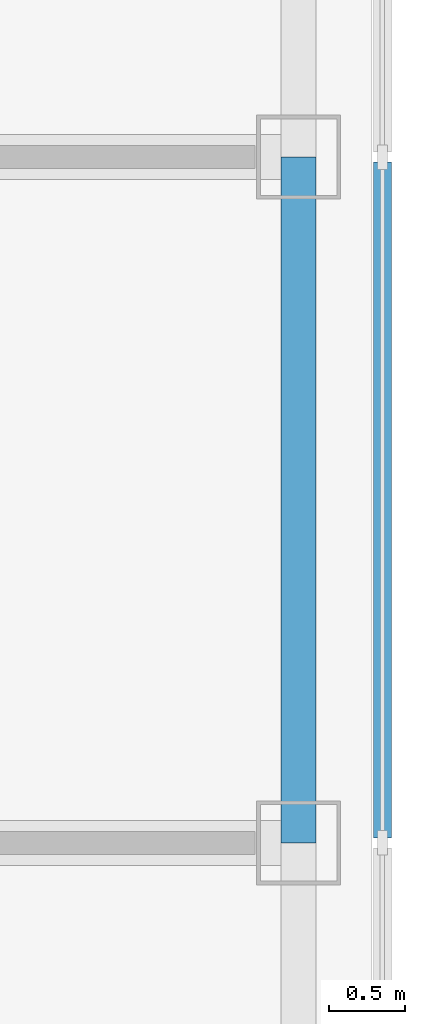
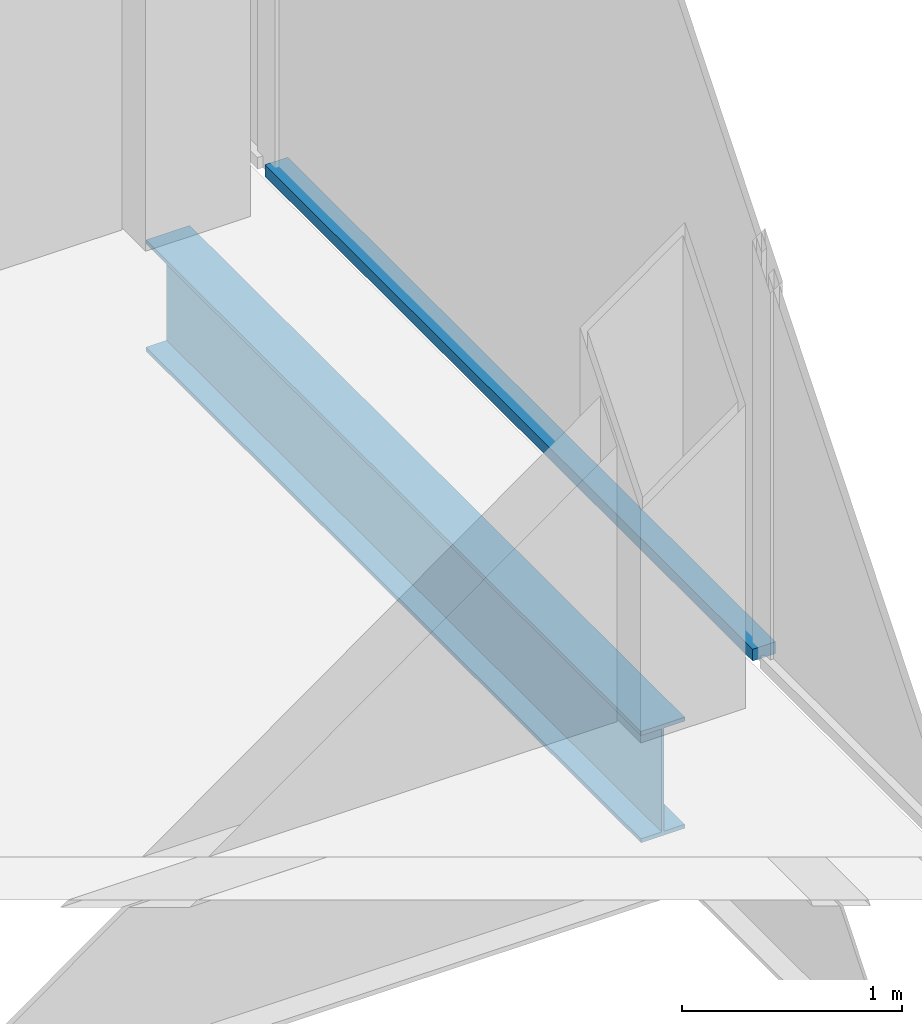
# One storey, part 5 of 14: 1 beam, 1 member, 1 element without a shape of its own.
"""IFC4 building model written with IfcOpenShell, lengths in metres."""

from ifc_helpers import new_model, si_unit, direction, frame, origin, origin_2d, place, context, subcontext, project, spatial, rectangle, i_section, extrude, material, material_profile, profile_set, type_object, element, aggregate, save


model = new_model("IFC4")

# Units and contexts
model_context = context("Model", 3, precision=1e-05, world=origin(), true_north=direction((0.0, 1.0)))
body_context = subcontext(model_context, "Body", "Model", "MODEL_VIEW")
ifc_project = project(units=[si_unit("LENGTHUNIT", "METRE"), si_unit("AREAUNIT", "SQUARE_METRE"), si_unit("VOLUMEUNIT", "CUBIC_METRE"), si_unit("PLANEANGLEUNIT", "RADIAN"), si_unit("MASSUNIT", "GRAM", prefix="KILO")], contexts=[model_context])

# Site, building, storey
site_placement = place(None, origin())
site = spatial("IfcSite", under=ifc_project, at=site_placement, CompositionType="ELEMENT")
building_placement = place(site_placement, origin())
building = spatial("IfcBuilding", under=site, at=building_placement, Name="Corais Broadcast Tower", CompositionType="ELEMENT")
storey_placement = place(building_placement, frame((0.0, 0.0, 298.60009765625)))
storey = spatial("IfcBuildingStorey", under=building, at=storey_placement, Name="L70", CompositionType="ELEMENT", Elevation=298.60009765625)

# Beam
ifc_material_1 = material(Name="Steel ASTM A572 Grade 50", Category="steel")
ifc_material_profile_1 = material_profile(ifc_material_1, i_section(OverallWidth=0.22998046875, OverallDepth=0.616943359375, WebThickness=0.01318359375, FlangeThickness=0.022216796875, at=origin_2d()), Name="W610x140")
ifc_profile_set_1 = profile_set([ifc_material_profile_1], Name="Steel ASTM A572 Grade 50")
beam_type = type_object("IfcBeamType", Name="Spandrel W610x140", PredefinedType="BEAM", material=ifc_profile_set_1)
beam_placement = place(storey_placement, frame((54.0, 27.0, -0.468505859375), z_axis=(0.0, 1.0, 0.0), x_axis=(-1.0, 0.0, 0.0)))
element("IfcBeam", 1, at=beam_placement, inside=storey, type_object=beam_type, Name="SB3 G/15 to H/15", PredefinedType="BEAM", context=body_context, shape_type="SweptSolid", body=[
    extrude(i_section(OverallWidth=0.22998046875, OverallDepth=0.616943359375, WebThickness=0.01318359375, FlangeThickness=0.022216796875, at=origin_2d()), origin(), (0.0, 0.0, 1.0), 4.5),
])

# Curtain wall, member
ifc_material_2 = material(Name="Aluminium and glass", Category="aluminium")
curtain_wall_type = type_object("IfcCurtainWallType", Name="Unitised fritted curtain wall CW3", PredefinedType="NOTDEFINED", material=ifc_material_2)
curtain_wall_placement = place(storey_placement, origin())
curtain_wall = element("IfcCurtainWall", 2, at=curtain_wall_placement, inside=storey, type_object=curtain_wall_type, Name="CW3 curtain wall L70 6", PredefinedType="NOTDEFINED")
ifc_material_3 = material(Name="Aluminium 6063-T6", Category="aluminium")
ifc_material_profile_2 = material_profile(ifc_material_3, rectangle(XDim=0.1201171875, YDim=0.06494140625, at=origin_2d()), Name="Transom CW3 65x120")
ifc_profile_set_2 = profile_set([ifc_material_profile_2], Name="Aluminium 6063-T6")
member_type = type_object("IfcMemberType", Name="Transom CW3 65x120", PredefinedType="USERDEFINED", material=ifc_profile_set_2)
member_placement = place(storey_placement, frame((54.550048828125, 31.467529296875, 0.032470703125), z_axis=(0.0, -1.0, 0.0), x_axis=(1.0, 0.0, 0.0)))
member = element("IfcMember", 3, at=member_placement, type_object=member_type, Name="CW3 transom 3.1", ObjectType="TRANSOM", PredefinedType="USERDEFINED", context=body_context, shape_type="SweptSolid", body=[
    extrude(rectangle(XDim=0.1201171875, YDim=0.06494140625, at=origin_2d()), origin(), (0.0, 0.0, 1.0), 4.43505859375),
])
aggregate(curtain_wall, [member])

save(model, "model.ifc")
